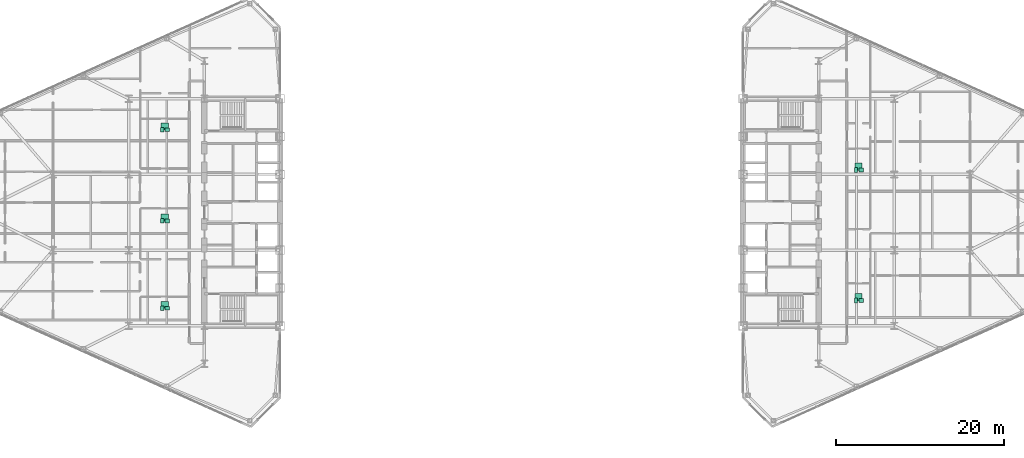
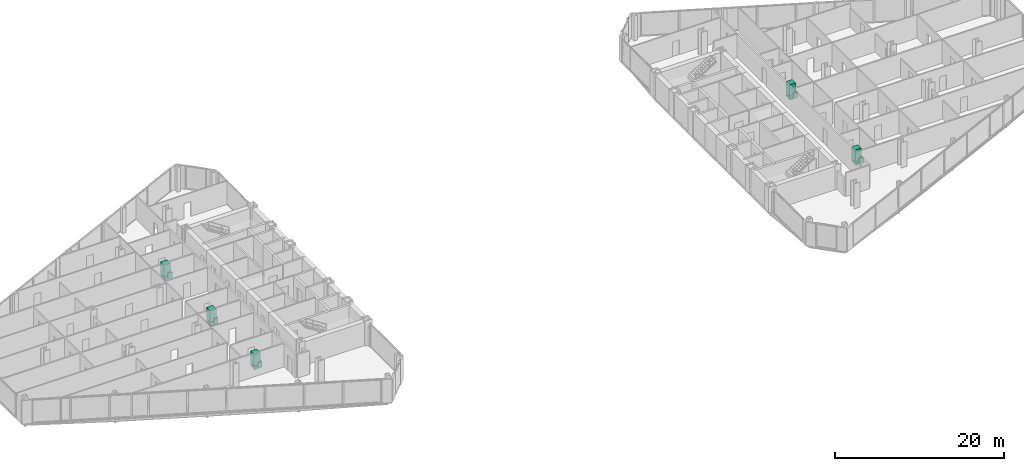
# One storey, part 27 of 27: 15 sanitary terminals.
"""IFC4 building model written with IfcOpenShell, lengths in metres."""

from ifc_helpers import new_model, si_unit, direction, frame, origin, origin_2d, place, context, subcontext, project, spatial, rectangle, extrude, source, transform, mapped, material, type_object, type_shapes, element, save


model = new_model("IFC4")

# Units and contexts
model_context = context("Model", 3, precision=1e-05, world=origin(), true_north=direction((0.0, 1.0)))
body_context = subcontext(model_context, "Body", "Model", "MODEL_VIEW")
ifc_project = project(units=[si_unit("LENGTHUNIT", "METRE"), si_unit("AREAUNIT", "SQUARE_METRE"), si_unit("VOLUMEUNIT", "CUBIC_METRE"), si_unit("PLANEANGLEUNIT", "RADIAN"), si_unit("MASSUNIT", "GRAM", prefix="KILO")], contexts=[model_context])

# Site, building, storey
site_placement = place(None, origin())
site = spatial("IfcSite", under=ifc_project, at=site_placement, CompositionType="ELEMENT")
building_placement = place(site_placement, origin())
building = spatial("IfcBuilding", under=site, at=building_placement, Name="Seokmaru Belvedere", CompositionType="ELEMENT")
storey_placement = place(building_placement, frame((0.0, 0.0, 96.0)))
storey = spatial("IfcBuildingStorey", under=building, at=storey_placement, Name="L25", CompositionType="ELEMENT", Elevation=96.0)

# Sanitary terminals
ifc_material_1 = material(Name="Vitreous China Sanitaryware")
sanitary_terminal_type_1 = type_object("IfcSanitaryTerminalType", Name="Wall-Hung Vitreous China WC Pan", PredefinedType="TOILETPAN", material=ifc_material_1)
shared_shape_1 = source(origin(), body_context, "Body", "SweptSolid", [
    extrude(rectangle(XDim=0.3798828125, YDim=0.56005859375, at=origin_2d()), origin(), (0.0, 0.0, 1.0), 0.419921875),
])
type_shapes(sanitary_terminal_type_1, [shared_shape_1])
for number, where, z_axis, x_axis, name in (
    (1, (-41.52490234375, -11.410888671875, 0.0), (0.0, 0.0, 1.0), (1.0, 0.0, 0.0), "L25 Vitreous China WC 0140"),
    (2, (-41.52490234375, -1.01611328125, 0.0), (0.0, 0.0, 1.0), (1.0, 0.0, 0.0), "L25 Vitreous China WC 0141"),
    (3, (-41.52490234375, 9.822021484375, 0.0), (0.0, 0.0, 1.0), (1.0, 0.0, 0.0), "L25 Vitreous China WC 0142"),
    (4, (40.949951171875, -10.47607421875, 0.0), (0.0, 0.0, 1.0), (1.0, 0.0, 0.0), "L25 Vitreous China WC 0143"),
    (5, (40.949951171875, 5.0390625, 0.0), (0.0, 0.0, 1.0), (1.0, 0.0, 0.0), "L25 Vitreous China WC 0144"),
):
    element("IfcSanitaryTerminal", number, at=place(storey_placement, frame(where, z_axis=z_axis, x_axis=x_axis)), inside=storey, type_object=sanitary_terminal_type_1, Name=name, PredefinedType="TOILETPAN", context=body_context, shape_type="MappedRepresentation", body=[
        mapped(shared_shape_1, transform((0.0, 0.0, 0.0), scale=1.0)),
    ])
sanitary_terminal_type_2 = type_object("IfcSanitaryTerminalType", Name="Countertop Ceramic Washhand Basin", PredefinedType="WASHHANDBASIN", material=ifc_material_1)
shared_shape_2 = source(origin(), body_context, "Body", "SweptSolid", [
    extrude(rectangle(XDim=0.550048828125, YDim=0.449951171875, at=origin_2d()), origin(), (0.0, 0.0, 1.0), 0.820068359375),
])
type_shapes(sanitary_terminal_type_2, [shared_shape_2])
for number, where, z_axis, x_axis, name in (
    (6, (-40.925048828125, -11.410888671875, 0.0), (0.0, 0.0, 1.0), (1.0, 0.0, 0.0), "L25 Ceramic Washhand Basin 0140"),
    (7, (-40.925048828125, -1.01611328125, 0.0), (0.0, 0.0, 1.0), (1.0, 0.0, 0.0), "L25 Ceramic Washhand Basin 0141"),
    (8, (-40.925048828125, 9.822021484375, 0.0), (0.0, 0.0, 1.0), (1.0, 0.0, 0.0), "L25 Ceramic Washhand Basin 0142"),
    (9, (41.550048828125, -10.47607421875, 0.0), (0.0, 0.0, 1.0), (1.0, 0.0, 0.0), "L25 Ceramic Washhand Basin 0143"),
    (10, (41.550048828125, 5.0390625, 0.0), (0.0, 0.0, 1.0), (1.0, 0.0, 0.0), "L25 Ceramic Washhand Basin 0144"),
):
    element("IfcSanitaryTerminal", number, at=place(storey_placement, frame(where, z_axis=z_axis, x_axis=x_axis)), inside=storey, type_object=sanitary_terminal_type_2, Name=name, PredefinedType="WASHHANDBASIN", context=body_context, shape_type="MappedRepresentation", body=[
        mapped(shared_shape_2, transform((0.0, 0.0, 0.0), scale=1.0)),
    ])
ifc_material_2 = material(Name="Stainless Steel 316", Category="steel")
sanitary_terminal_type_3 = type_object("IfcSanitaryTerminalType", Name="Walk-In Thermostatic Rain Shower Enclosure", PredefinedType="SHOWER", material=ifc_material_2)
shared_shape_3 = source(origin(), body_context, "Body", "SweptSolid", [
    extrude(rectangle(XDim=0.85009765625, YDim=0.85009765625, at=origin_2d()), origin(), (0.0, 0.0, 1.0), 2.050048828125),
])
type_shapes(sanitary_terminal_type_3, [shared_shape_3])
for number, where, z_axis, x_axis, name in (
    (11, (-41.22509765625, -11.030029296875, 0.0), (0.0, 0.0, 1.0), (1.0, 0.0, 0.0), "L25 Walk-In Shower 0140"),
    (12, (-41.22509765625, -0.635986328125, 0.0), (0.0, 0.0, 1.0), (1.0, 0.0, 0.0), "L25 Walk-In Shower 0141"),
    (13, (-41.22509765625, 10.202880859375, 0.0), (0.0, 0.0, 1.0), (1.0, 0.0, 0.0), "L25 Walk-In Shower 0142"),
    (14, (41.25, -10.095947265625, 0.0), (0.0, 0.0, 1.0), (1.0, 0.0, 0.0), "L25 Walk-In Shower 0143"),
    (15, (41.25, 5.4189453125, 0.0), (0.0, 0.0, 1.0), (1.0, 0.0, 0.0), "L25 Walk-In Shower 0144"),
):
    element("IfcSanitaryTerminal", number, at=place(storey_placement, frame(where, z_axis=z_axis, x_axis=x_axis)), inside=storey, type_object=sanitary_terminal_type_3, Name=name, PredefinedType="SHOWER", context=body_context, shape_type="MappedRepresentation", body=[
        mapped(shared_shape_3, transform((0.0, 0.0, 0.0), scale=1.0)),
    ])

save(model, "model.ifc")
